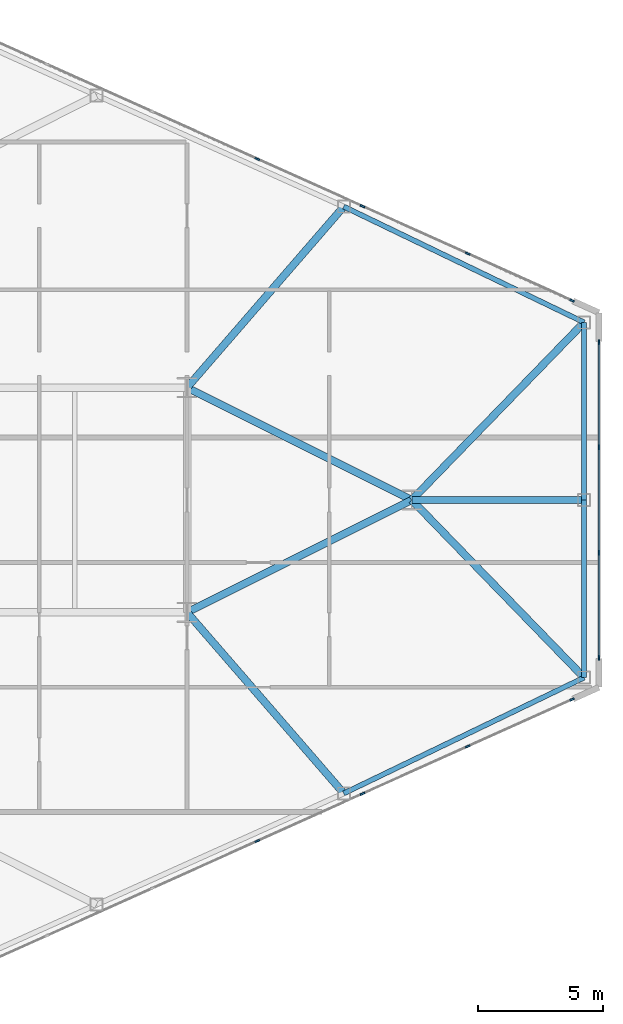
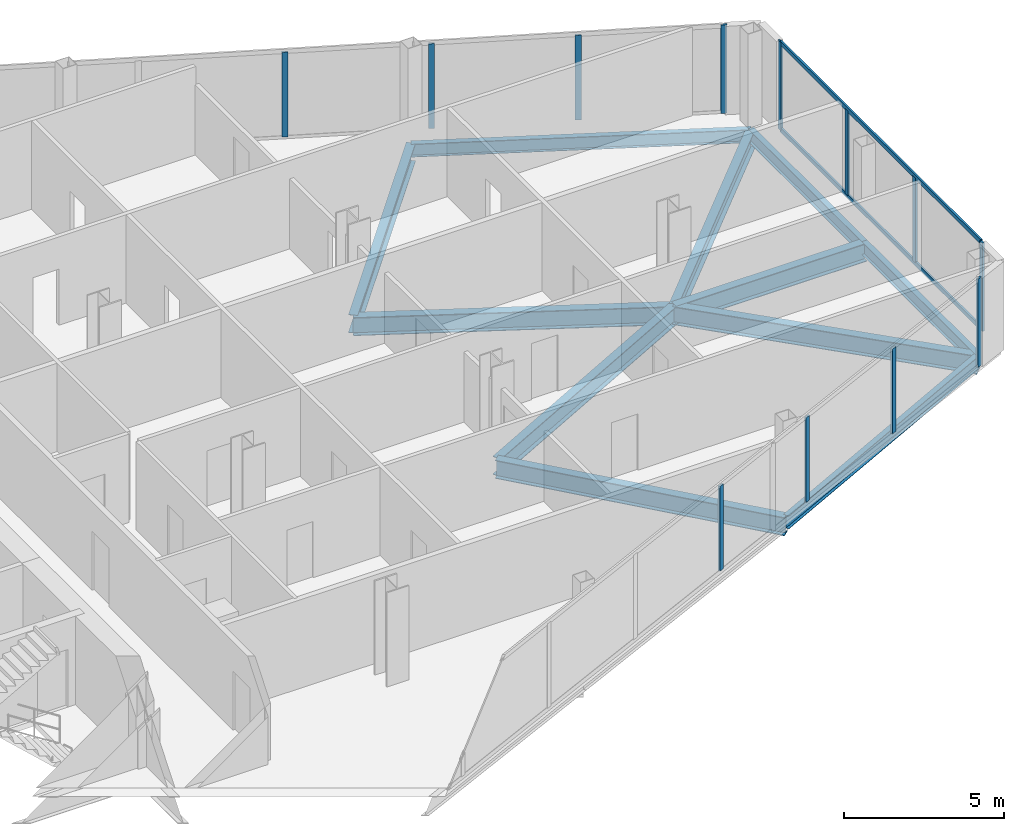
# One storey, part 16 of 27: 14 members, 11 beams, 3 elements without a shape of their own.
"""IFC4 building model written with IfcOpenShell, lengths in metres."""

from ifc_helpers import new_model, si_unit, direction, frame, origin, origin_2d, place, context, subcontext, project, spatial, rectangle, i_section, extrude, source, transform, mapped, material, layer, layer_set, material_profile, profile_set, type_object, type_shapes, element, aggregate, save


model = new_model("IFC4")

# Units and contexts
model_context = context("Model", 3, precision=1e-05, world=origin(), true_north=direction((0.0, 1.0)))
body_context = subcontext(model_context, "Body", "Model", "MODEL_VIEW")
ifc_project = project(units=[si_unit("LENGTHUNIT", "METRE"), si_unit("AREAUNIT", "SQUARE_METRE"), si_unit("VOLUMEUNIT", "CUBIC_METRE"), si_unit("PLANEANGLEUNIT", "RADIAN"), si_unit("MASSUNIT", "GRAM", prefix="KILO")], contexts=[model_context])

# Site, building, storey
site_placement = place(None, origin())
site = spatial("IfcSite", under=ifc_project, at=site_placement, CompositionType="ELEMENT")
building_placement = place(site_placement, origin())
building = spatial("IfcBuilding", under=site, at=building_placement, Name="Seokmaru Belvedere", CompositionType="ELEMENT")
storey_placement = place(building_placement, frame((0.0, 0.0, 96.0)))
storey = spatial("IfcBuildingStorey", under=building, at=storey_placement, Name="L25", CompositionType="ELEMENT", Elevation=96.0)

# Beams
ifc_material_1 = material(Name="Steel SM355 (355 MPa)", Category="steel")
ifc_material_profile_1 = material_profile(ifc_material_1, i_section(OverallWidth=0.300048828125, OverallDepth=0.699951171875, WebThickness=0.012939453125, FlangeThickness=0.02392578125, at=origin_2d()), Name="H-700x300x13x24")
ifc_profile_set_1 = profile_set([ifc_material_profile_1], Name="Steel SM355 (355 MPa)")
beam_type_1 = type_object("IfcBeamType", Name="Primary Floor Girder H-700", PredefinedType="BEAM", material=ifc_profile_set_1)
shared_shape_1 = source(origin(), body_context, "Body", "SweptSolid", [
    extrude(i_section(OverallWidth=0.300048828125, OverallDepth=0.699951171875, WebThickness=0.012939453125, FlangeThickness=0.02392578125, at=origin_2d()), origin(), (0.0, 0.0, 1.0), 10.062255859375),
])
for number, where, z_axis, x_axis, name in (
    (1, (54.5, -4.5, -0.570068359375), (0.894427191, 0.4472135955, 0.0), (-0.4472135955, 0.894427191, 0.0), "L25 E Apex Converging Girder 1"),
    (2, (54.5, 4.5, -0.570068359375), (0.894427191, -0.4472135955, 0.0), (0.4472135955, 0.894427191, 0.0), "L25 E Apex Converging Girder 2"),
):
    element("IfcBeam", number, at=place(storey_placement, frame(where, z_axis=z_axis, x_axis=x_axis)), inside=storey, type_object=beam_type_1, Name=name, PredefinedType="BEAM", context=body_context, shape_type="MappedRepresentation", body=[
        mapped(shared_shape_1, transform((0.0, 0.0, 0.0), scale=1.0)),
    ])
ifc_material_profile_2 = material_profile(ifc_material_1, i_section(OverallWidth=0.199951171875, OverallDepth=0.5, WebThickness=0.010009765625, FlangeThickness=0.01611328125, at=origin_2d()), Name="H-500x200x10x16")
ifc_profile_set_2 = profile_set([ifc_material_profile_2], Name="Steel SM355 (355 MPa)")
beam_type_2 = type_object("IfcBeamType", Name="Perimeter Spandrel Beam H-500", PredefinedType="SPANDREL", material=ifc_profile_set_2)
shared_shape_2 = source(origin(), body_context, "Body", "SweptSolid", [
    extrude(i_section(OverallWidth=0.199951171875, OverallDepth=0.5, WebThickness=0.010009765625, FlangeThickness=0.01611328125, at=origin_2d()), origin(), (0.0, 0.0, 1.0), 10.681396484375),
])
for number, where, z_axis, x_axis, name in (
    (3, (60.777587890625, -11.749267578125, -0.469970703125), (0.900846426616, 0.434137899352, 0.0), (-0.434137899352, 0.900846426616, 0.0), "L25 E Faceted Flank Spandrel S-4"),
    (4, (60.777587890625, 11.749267578125, -0.469970703125), (0.900846426616, -0.434137899352, 0.0), (0.434137899352, 0.900846426616, 0.0), "L25 E Faceted Flank Spandrel N-4"),
):
    element("IfcBeam", number, at=place(storey_placement, frame(where, z_axis=z_axis, x_axis=x_axis)), inside=storey, type_object=beam_type_2, Name=name, PredefinedType="SPANDREL", context=body_context, shape_type="MappedRepresentation", body=[
        mapped(shared_shape_2, transform((0.0, 0.0, 0.0), scale=1.0)),
    ])
shared_shape_3 = source(origin(), body_context, "Body", "SweptSolid", [
    extrude(i_section(OverallWidth=0.199951171875, OverallDepth=0.5, WebThickness=0.010009765625, FlangeThickness=0.01611328125, at=origin_2d()), origin(), (0.0, 0.0, 1.0), 7.112060546875),
])
type_shapes(beam_type_2, [shared_shape_2, shared_shape_3])
for number, where, z_axis, x_axis, name in (
    (5, (70.39990234375, -7.112060546875, -0.469970703125), (0.0, 1.0, 0.0), (-1.0, 0.0, 0.0), "L25 E Faceted Apex Spandrel S"),
    (6, (70.39990234375, 0.0, -0.469970703125), (0.0, 1.0, 0.0), (-1.0, 0.0, 0.0), "L25 E Faceted Apex Spandrel N"),
):
    element("IfcBeam", number, at=place(storey_placement, frame(where, z_axis=z_axis, x_axis=x_axis)), inside=storey, type_object=beam_type_2, Name=name, PredefinedType="SPANDREL", context=body_context, shape_type="MappedRepresentation", body=[
        mapped(shared_shape_3, transform((0.0, 0.0, 0.0), scale=1.0)),
    ])
shared_shape_4 = source(origin(), body_context, "Body", "SweptSolid", [
    extrude(i_section(OverallWidth=0.300048828125, OverallDepth=0.699951171875, WebThickness=0.012939453125, FlangeThickness=0.02392578125, at=origin_2d()), origin(), (0.0, 0.0, 1.0), 9.589599609375),
])
for number, where, z_axis, x_axis, name in (
    (7, (60.777587890625, -11.749267578125, -0.570068359375), (-0.654626140929, 0.755952786629, 0.0), (-0.755952786629, -0.654626140929, 0.0), "L25 E Flank Radial Floor Girder S-3"),
    (8, (60.777587890625, 11.749267578125, -0.570068359375), (-0.654626140929, -0.755952786629, 0.0), (0.755952786629, -0.654626140929, 0.0), "L25 E Flank Radial Floor Girder N-3"),
):
    element("IfcBeam", number, at=place(storey_placement, frame(where, z_axis=z_axis, x_axis=x_axis)), inside=storey, type_object=beam_type_1, Name=name, PredefinedType="BEAM", context=body_context, shape_type="MappedRepresentation", body=[
        mapped(shared_shape_4, transform((0.0, 0.0, 0.0), scale=1.0)),
    ])
shared_shape_5 = source(origin(), body_context, "Body", "SweptSolid", [
    extrude(i_section(OverallWidth=0.300048828125, OverallDepth=0.699951171875, WebThickness=0.012939453125, FlangeThickness=0.02392578125, at=origin_2d()), origin(), (0.0, 0.0, 1.0), 9.9091796875),
])
for number, where, z_axis, x_axis, name in (
    (9, (70.39990234375, -7.112060546875, -0.570068359375), (-0.6963205089, 0.717730972499, 0.0), (-0.717730972499, -0.6963205089, 0.0), "L25 E Apex Radial Floor Girder 1"),
    (10, (70.39990234375, 7.112060546875, -0.570068359375), (-0.6963205089, -0.717730972499, 0.0), (0.717730972499, -0.6963205089, 0.0), "L25 E Apex Radial Floor Girder 2"),
):
    element("IfcBeam", number, at=place(storey_placement, frame(where, z_axis=z_axis, x_axis=x_axis)), inside=storey, type_object=beam_type_1, Name=name, PredefinedType="BEAM", context=body_context, shape_type="MappedRepresentation", body=[
        mapped(shared_shape_5, transform((0.0, 0.0, 0.0), scale=1.0)),
    ])
shared_shape_6 = source(origin(), body_context, "Body", "SweptSolid", [
    extrude(i_section(OverallWidth=0.300048828125, OverallDepth=0.699951171875, WebThickness=0.012939453125, FlangeThickness=0.02392578125, at=origin_2d()), origin(), (0.0, 0.0, 1.0), 6.89990234375),
])
type_shapes(beam_type_1, [shared_shape_1, shared_shape_4, shared_shape_5, shared_shape_6])
beam_placement = place(storey_placement, frame((70.39990234375, 0.0, -0.570068359375), z_axis=(-1.0, 0.0, 0.0), x_axis=(0.0, -1.0, 0.0)))
element("IfcBeam", 11, at=beam_placement, inside=storey, type_object=beam_type_1, Name="L25 E Apex Center Radial Girder", PredefinedType="BEAM", context=body_context, shape_type="MappedRepresentation", body=[
    mapped(shared_shape_6, transform((0.0, 0.0, 0.0), scale=1.0)),
])

# Curtain wall, member
ifc_material_2 = material(Name="Bronze Triple Insulating Glass", Category="glass")
ifc_layer = layer(ifc_material_2, 0.195068359375)
ifc_layer_set = layer_set([ifc_layer], Name="Bronze Triple Insulating Glass")
curtain_wall_type = type_object("IfcCurtainWallType", Name="Lower-Mid Tapered Curtain Wall System CW-3", PredefinedType="NOTDEFINED", material=ifc_layer_set)
curtain_wall_1_placement = place(storey_placement, origin())
curtain_wall_1 = element("IfcCurtainWall", 12, at=curtain_wall_1_placement, inside=storey, type_object=curtain_wall_type, Name="L25 Curtain Wall EF1", PredefinedType="NOTDEFINED")
ifc_material_3 = material(Name="Anodised Bronze Aluminium", Category="aluminium")
ifc_material_profile_3 = material_profile(ifc_material_3, rectangle(XDim=0.070068359375, YDim=0.195068359375, at=origin_2d()), Name="CW-M-70x195")
ifc_profile_set_3 = profile_set([ifc_material_profile_3], Name="Anodised Bronze Aluminium")
member_type_1 = type_object("IfcMemberType", Name="Bronze Unitised Mullion 70x195", PredefinedType="MULLION", material=ifc_profile_set_3)
shared_shape_7 = source(origin(), body_context, "Body", "SweptSolid", [
    extrude(rectangle(XDim=0.070068359375, YDim=0.195068359375, at=origin_2d()), origin(), (0.0, 0.0, 1.0), 3.3798828125),
])
member_1_placement = place(storey_placement, frame((69.91943359375, -7.986328125, 0.0), z_axis=(0.0, 0.0, 1.0), x_axis=(-0.41036554765, 0.91192111353, 0.0)))
member_1 = element("IfcMember", 13, at=member_1_placement, type_object=member_type_1, Name="CW:L25:EF1 Mullion 10", PredefinedType="MULLION", context=body_context, shape_type="MappedRepresentation", body=[
    mapped(shared_shape_7, transform((0.0, 0.0, 0.0), scale=1.0)),
])

# Curtain wall, members
curtain_wall_2_placement = place(storey_placement, origin())
curtain_wall_2 = element("IfcCurtainWall", 14, at=curtain_wall_2_placement, inside=storey, type_object=curtain_wall_type, Name="L25 Curtain Wall EF2", PredefinedType="NOTDEFINED")
member_2_placement = place(storey_placement, frame((71.0, -6.31494140625, 0.0), z_axis=(0.0, 0.0, 1.0), x_axis=(-1.0, 0.0, 0.0)))
member_2 = element("IfcMember", 15, at=member_2_placement, type_object=member_type_1, Name="CW:L25:EF2 Mullion 1", PredefinedType="MULLION", context=body_context, shape_type="MappedRepresentation", body=[
    mapped(shared_shape_7, transform((0.0, 0.0, 0.0), scale=1.0)),
])
member_3_placement = place(storey_placement, frame((71.0, 6.31494140625, 0.0), z_axis=(0.0, 0.0, 1.0), x_axis=(-1.0, 0.0, 0.0)))
member_3 = element("IfcMember", 16, at=member_3_placement, type_object=member_type_1, Name="CW:L25:EF2 Mullion 4", PredefinedType="MULLION", context=body_context, shape_type="MappedRepresentation", body=[
    mapped(shared_shape_7, transform((0.0, 0.0, 0.0), scale=1.0)),
])

# Curtain wall, member
curtain_wall_3_placement = place(storey_placement, origin())
curtain_wall_3 = element("IfcCurtainWall", 17, at=curtain_wall_3_placement, inside=storey, type_object=curtain_wall_type, Name="L25 Curtain Wall EF3", PredefinedType="NOTDEFINED")
member_4_placement = place(storey_placement, frame((69.91943359375, 7.986328125, 0.0), z_axis=(0.0, 0.0, 1.0), x_axis=(-0.41036554765, -0.91192111353, 0.0)))
member_4 = element("IfcMember", 18, at=member_4_placement, type_object=member_type_1, Name="CW:L25:EF3 Mullion 1", PredefinedType="MULLION", context=body_context, shape_type="MappedRepresentation", body=[
    mapped(shared_shape_7, transform((0.0, 0.0, 0.0), scale=1.0)),
])

# Member
shared_shape_8 = source(origin(), body_context, "Body", "SweptSolid", [
    extrude(rectangle(XDim=0.070068359375, YDim=0.195068359375, at=origin_2d()), origin(), (0.0, 0.0, 1.0), 3.239990234375),
])
type_shapes(member_type_1, [shared_shape_7, shared_shape_8])
member_5_placement = place(storey_placement, frame((57.317138671875, -13.6572265625, 0.070068359375), z_axis=(0.0, 0.0, 1.0), x_axis=(-0.41036554765, 0.91192111353, 0.0)))
member_5 = element("IfcMember", 19, at=member_5_placement, type_object=member_type_1, Name="CW:L25:EF1 Mullion 7", PredefinedType="MULLION", context=body_context, shape_type="MappedRepresentation", body=[
    mapped(shared_shape_8, transform((0.0, 0.0, 0.0), scale=1.0)),
])

member_6_placement = place(storey_placement, frame((61.528564453125, -11.76220703125, 0.070068359375), z_axis=(0.0, 0.0, 1.0), x_axis=(-0.41036554765, 0.91192111353, 0.0)))
member_6 = element("IfcMember", 20, at=member_6_placement, type_object=member_type_1, Name="CW:L25:EF1 Mullion 8", PredefinedType="MULLION", context=body_context, shape_type="MappedRepresentation", body=[
    mapped(shared_shape_8, transform((0.0, 0.0, 0.0), scale=1.0)),
])

member_7_placement = place(storey_placement, frame((65.739990234375, -9.866943359375, 0.070068359375), z_axis=(0.0, 0.0, 1.0), x_axis=(-0.41036554765, 0.91192111353, 0.0)))
member_7 = element("IfcMember", 21, at=member_7_placement, type_object=member_type_1, Name="CW:L25:EF1 Mullion 9", PredefinedType="MULLION", context=body_context, shape_type="MappedRepresentation", body=[
    mapped(shared_shape_8, transform((0.0, 0.0, 0.0), scale=1.0)),
])

aggregate(curtain_wall_1, [member_5, member_6, member_7, member_1])

member_8_placement = place(storey_placement, frame((71.0, -2.11669921875, 0.070068359375), z_axis=(0.0, 0.0, 1.0), x_axis=(-1.0, 0.0, 0.0)))
member_8 = element("IfcMember", 22, at=member_8_placement, type_object=member_type_1, Name="CW:L25:EF2 Mullion 2", PredefinedType="MULLION", context=body_context, shape_type="MappedRepresentation", body=[
    mapped(shared_shape_8, transform((0.0, 0.0, 0.0), scale=1.0)),
])

member_9_placement = place(storey_placement, frame((71.0, 2.11669921875, 0.070068359375), z_axis=(0.0, 0.0, 1.0), x_axis=(-1.0, 0.0, 0.0)))
member_9 = element("IfcMember", 23, at=member_9_placement, type_object=member_type_1, Name="CW:L25:EF2 Mullion 3", PredefinedType="MULLION", context=body_context, shape_type="MappedRepresentation", body=[
    mapped(shared_shape_8, transform((0.0, 0.0, 0.0), scale=1.0)),
])

member_10_placement = place(storey_placement, frame((65.739990234375, 9.866943359375, 0.070068359375), z_axis=(0.0, 0.0, 1.0), x_axis=(-0.41036554765, -0.91192111353, 0.0)))
member_10 = element("IfcMember", 24, at=member_10_placement, type_object=member_type_1, Name="CW:L25:EF3 Mullion 2", PredefinedType="MULLION", context=body_context, shape_type="MappedRepresentation", body=[
    mapped(shared_shape_8, transform((0.0, 0.0, 0.0), scale=1.0)),
])

member_11_placement = place(storey_placement, frame((61.528564453125, 11.76220703125, 0.070068359375), z_axis=(0.0, 0.0, 1.0), x_axis=(-0.41036554765, -0.91192111353, 0.0)))
member_11 = element("IfcMember", 25, at=member_11_placement, type_object=member_type_1, Name="CW:L25:EF3 Mullion 3", PredefinedType="MULLION", context=body_context, shape_type="MappedRepresentation", body=[
    mapped(shared_shape_8, transform((0.0, 0.0, 0.0), scale=1.0)),
])

member_12_placement = place(storey_placement, frame((57.317138671875, 13.6572265625, 0.070068359375), z_axis=(0.0, 0.0, 1.0), x_axis=(-0.41036554765, -0.91192111353, 0.0)))
member_12 = element("IfcMember", 26, at=member_12_placement, type_object=member_type_1, Name="CW:L25:EF3 Mullion 4", PredefinedType="MULLION", context=body_context, shape_type="MappedRepresentation", body=[
    mapped(shared_shape_8, transform((0.0, 0.0, 0.0), scale=1.0)),
])

aggregate(curtain_wall_3, [member_4, member_10, member_11, member_12])

ifc_material_profile_4 = material_profile(ifc_material_3, rectangle(XDim=0.070068359375, YDim=0.1650390625, at=origin_2d()), Name="CW-T-70x165")
ifc_profile_set_4 = profile_set([ifc_material_profile_4], Name="Anodised Bronze Aluminium")
member_type_2 = type_object("IfcMemberType", Name="Bronze Unitised Transom 70x165", PredefinedType="USERDEFINED", material=ifc_profile_set_4)
shared_shape_9 = source(origin(), body_context, "Body", "SweptSolid", [
    extrude(rectangle(XDim=0.070068359375, YDim=0.1650390625, at=origin_2d()), origin(), (0.0, 0.0, 1.0), 12.56005859375),
])
type_shapes(member_type_2, [shared_shape_9])
member_13_placement = place(storey_placement, frame((71.0, -6.280029296875, 0.034912109375), z_axis=(0.0, 1.0, 0.0), x_axis=(-1.0, 0.0, 0.0)))
member_13 = element("IfcMember", 27, at=member_13_placement, type_object=member_type_2, Name="CW:L25:EF2 Continuous Transom 1", ObjectType="TRANSOM", PredefinedType="USERDEFINED", context=body_context, shape_type="MappedRepresentation", body=[
    mapped(shared_shape_9, transform((0.0, 0.0, 0.0), scale=1.0)),
])

member_14_placement = place(storey_placement, frame((71.0, -6.280029296875, 3.344970703125), z_axis=(0.0, 1.0, 0.0), x_axis=(-1.0, 0.0, 0.0)))
member_14 = element("IfcMember", 28, at=member_14_placement, type_object=member_type_2, Name="CW:L25:EF2 Continuous Transom 2", ObjectType="TRANSOM", PredefinedType="USERDEFINED", context=body_context, shape_type="MappedRepresentation", body=[
    mapped(shared_shape_9, transform((0.0, 0.0, 0.0), scale=1.0)),
])

aggregate(curtain_wall_2, [member_2, member_8, member_9, member_3, member_13, member_14])

save(model, "model.ifc")
